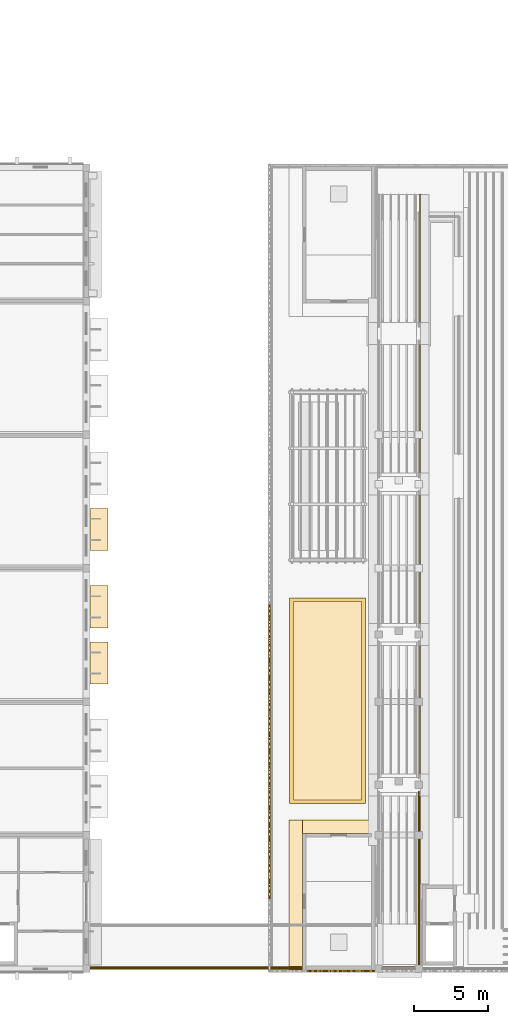
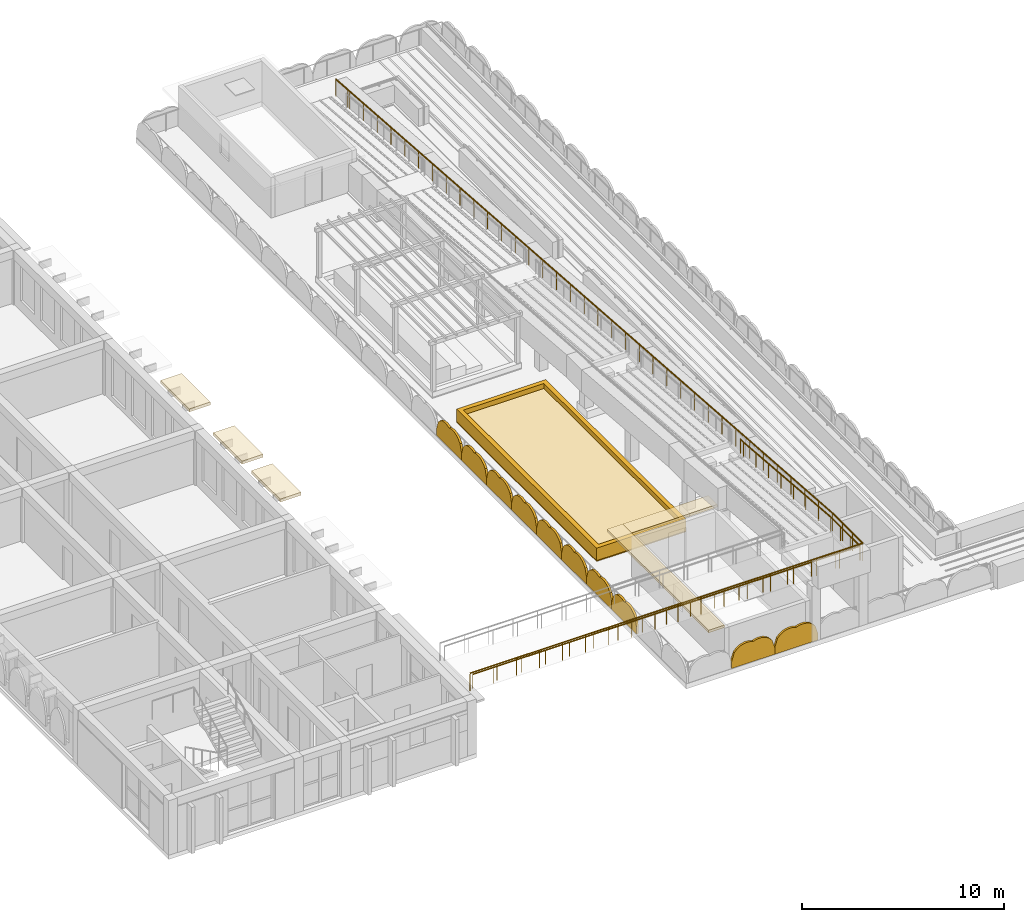
# One storey, part 58 of 65: 10 shading devices, 8 coverings, 2 railings.
"""IFC4 building model written with IfcOpenShell, lengths in metres."""

from ifc_helpers import new_model, si_unit, direction, frame, origin, origin_2d, place, context, subcontext, project, spatial, polyline, rectangle, circle, outline, extrude, material, layer, layer_set, type_object, element, save


model = new_model("IFC4")

# Units and contexts
model_context = context("Model", 3, precision=1e-05, world=origin(), true_north=direction((0.0, 1.0)))
body_context = subcontext(model_context, "Body", "Model", "MODEL_VIEW")
ifc_project = project(units=[si_unit("LENGTHUNIT", "METRE"), si_unit("AREAUNIT", "SQUARE_METRE"), si_unit("VOLUMEUNIT", "CUBIC_METRE"), si_unit("PLANEANGLEUNIT", "RADIAN"), si_unit("MASSUNIT", "GRAM", prefix="KILO")], contexts=[model_context])

# Site, building, storey
site_placement = place(None, origin())
site = spatial("IfcSite", under=ifc_project, at=site_placement, CompositionType="ELEMENT")
building_placement = place(site_placement, origin())
building = spatial("IfcBuilding", under=site, at=building_placement, Name="Elbe Cascade School", CompositionType="ELEMENT")
storey_placement = place(building_placement, frame((0.0, 0.0, 11.699951171875)))
storey = spatial("IfcBuildingStorey", under=building, at=storey_placement, Name="L03", CompositionType="ELEMENT", Elevation=11.699951171875)

# Shading devices
ifc_material_1 = material(Name="Precast concrete C40/50", Category="concrete")
ifc_layer_1 = layer(ifc_material_1, 0.1201171875)
ifc_layer_set_1 = layer_set([ifc_layer_1], Name="Precast concrete C40/50")
shading_device_type = type_object("IfcShadingDeviceType", Name="Bars envelope Attic jali screen, pointed arch top, pierced precast concrete, 1200 high", PredefinedType="USERDEFINED", material=ifc_layer_set_1)
shading_device_1_placement = place(storey_placement, frame((127.97998046875, 10.70458984375, 0.400146484375), z_axis=(-1.0, 0.0, 0.0), x_axis=(0.0, 0.296914729778, 0.954903996871)))
element("IfcShadingDevice", 1, at=shading_device_1_placement, inside=storey, type_object=shading_device_type, Name="Attic jali screen SD1 C.L03.w3", ObjectType="JALI", PredefinedType="USERDEFINED", context=body_context, shape_type="SweptSolid", body=[
    extrude(outline(polyline([(0.0, 0.0), (0.5213118135497831, 2.7755575615628914e-17), (0.7306945382777837, 0.09699021202207464), (0.8771319311807609, 0.21355243992304318), (0.9847089596433677, 0.3424534529484574), (1.0619064875388193, 0.48054489831620933), (1.1125270975525943, 0.6269000837217165), (1.1363376588260814, 0.7815914981126785), (1.1314731244903915, 0.9451990530706923), (1.2282536445091836, 1.0772014268316772), (1.2963590689187985, 1.218119941159714), (1.337726933535825, 1.3676078153318163), (1.3524453913234755, 1.5251262986830632), (1.3368568374916705, 1.692068345235259), (1.2824079192194948, 1.8713491769119002), (1.1649411801745964, 2.069968893608824), (0.7355453523079154, 2.365578822327823), (0.3534438750441624, 2.4843882076074792), (-0.382101477263753, 0.11880938527965638), (0.0, 0.0)])), origin(), (0.0, 0.0, -1.0), 0.1201171875),
])
shading_device_2_placement = place(storey_placement, frame((127.97998046875, 13.181884765625, 0.400146484375), z_axis=(-1.0, 0.0, 0.0), x_axis=(0.0, 0.296914729778, 0.954903996871)))
element("IfcShadingDevice", 2, at=shading_device_2_placement, inside=storey, type_object=shading_device_type, Name="Attic jali screen SD1 C.L03.w4", ObjectType="JALI", PredefinedType="USERDEFINED", context=body_context, shape_type="SweptSolid", body=[
    extrude(outline(polyline([(0.0, 0.0), (0.5213118135497831, 2.7755575615628914e-17), (0.7306945382777837, 0.09699021202207464), (0.8771319311807609, 0.21355243992304318), (0.9846364706956681, 0.3422203220898462), (1.0619064875388193, 0.48054489831620933), (1.1125270975525943, 0.6269000837217165), (1.1363376588260814, 0.7815914981126785), (1.1314731244903915, 0.9451990530706923), (1.2282536445091836, 1.0772014268316772), (1.2963590689187985, 1.218119941159714), (1.337726933535825, 1.3676078153318163), (1.3524453913234755, 1.5251262986830632), (1.3368568374916705, 1.692068345235259), (1.2823354302717953, 1.871116046053289), (1.1649411801745964, 2.069968893608824), (0.7355453523079154, 2.365578822327823), (0.3534438750441624, 2.4843882076074792), (-0.382101477263753, 0.11880938527965638), (0.0, 0.0)])), origin(), (0.0, 0.0, -1.0), 0.1201171875),
])
shading_device_3_placement = place(storey_placement, frame((127.97998046875, 15.6591796875, 0.400146484375), z_axis=(-1.0, 0.0, 0.0), x_axis=(0.0, 0.296914729778, 0.954903996871)))
element("IfcShadingDevice", 3, at=shading_device_3_placement, inside=storey, type_object=shading_device_type, Name="Attic jali screen SD1 C.L03.w5", ObjectType="JALI", PredefinedType="USERDEFINED", context=body_context, shape_type="SweptSolid", body=[
    extrude(outline(polyline([(0.0, 0.0), (0.5213118135497831, 2.7755575615628914e-17), (0.7306945382777837, 0.09699021202207464), (0.8771319311807609, 0.21355243992304318), (0.9846364706956681, 0.3422203220898462), (1.0618339985911196, 0.4803117674575981), (1.1125270975525943, 0.6269000837217165), (1.1363376588260814, 0.7815914981126785), (1.1314731244903915, 0.9451990530706923), (1.2282536445091836, 1.0772014268316772), (1.296431557866498, 1.218353072018325), (1.337726933535825, 1.3676078153318163), (1.3524453913234755, 1.5251262986830632), (1.3368568374916705, 1.692068345235259), (1.2823354302717953, 1.871116046053289), (1.1648686912268968, 2.069735762750213), (0.7355453523079154, 2.365578822327823), (0.3534438750441624, 2.4843882076074792), (-0.382101477263753, 0.11880938527965638), (0.0, 0.0)])), origin(), (0.0, 0.0, -1.0), 0.1201171875),
])
shading_device_4_placement = place(storey_placement, frame((127.97998046875, 18.136474609375, 0.400146484375), z_axis=(-1.0, 0.0, 0.0), x_axis=(0.0, 0.296914729778, 0.954903996871)))
element("IfcShadingDevice", 4, at=shading_device_4_placement, inside=storey, type_object=shading_device_type, Name="Attic jali screen SD1 C.L03.w6", ObjectType="JALI", PredefinedType="USERDEFINED", context=body_context, shape_type="SweptSolid", body=[
    extrude(outline(polyline([(0.0, 0.0), (0.5213118135497831, 2.7755575615628914e-17), (0.7306945382777837, 0.09699021202207464), (0.8771319311807609, 0.21355243992304318), (0.9846364706956681, 0.3422203220898462), (1.0618339985911196, 0.4803117674575981), (1.1124546086048945, 0.6266669528631053), (1.1363376588260814, 0.7815914981126785), (1.1314731244903915, 0.9451990530706923), (1.2282536445091836, 1.0772014268316772), (1.296431557866498, 1.218353072018325), (1.337726933535825, 1.3676078153318163), (1.3524453913234755, 1.5251262986830632), (1.3368568374916705, 1.692068345235259), (1.2823354302717953, 1.871116046053289), (1.1648686912268968, 2.069735762750213), (0.7354728633602158, 2.3653456914692117), (0.3533713860964628, 2.484155076748868), (-0.382101477263753, 0.11880938527965638), (0.0, 0.0)])), origin(), (0.0, 0.0, -1.0), 0.1201171875),
])
shading_device_5_placement = place(storey_placement, frame((127.97998046875, 20.613525390625, 0.400146484375), z_axis=(-1.0, 0.0, 0.0), x_axis=(0.0, 0.297341674145, 0.954771139497)))
element("IfcShadingDevice", 5, at=shading_device_5_placement, inside=storey, type_object=shading_device_type, Name="Attic jali screen SD1 C.L03.w7", ObjectType="JALI", PredefinedType="USERDEFINED", context=body_context, shape_type="SweptSolid", body=[
    extrude(outline(polyline([(0.0, 0.0), (0.5213843546183408, 0.0), (0.7308104264433496, 0.09689657931297072), (0.877299924131576, 0.21339331781027546), (0.9848619852240885, 0.34201311772900156), (1.0621212513618536, 0.4800700313290738), (1.112807297308533, 0.6264025676958647), (1.1367596178235617, 0.7813164184342674), (1.1319682391607806, 0.9449261321561379), (1.2288077728077673, 1.0768852184544173), (1.2969762004591083, 1.2177732661588931), (1.338410902678799, 1.3672426282349808), (1.3531997915252392, 1.5247545146550585), (1.3376858854169322, 1.6917035147564823), (1.2832445427129113, 1.8707755762793272), (1.1658666258721082, 2.0694477969865064), (0.7366030194201371, 2.365249695429385), (0.35455470456759325, 2.484229920996509), (-0.3820483148525438, 0.11898022556712376), (0.0, 0.0)])), origin(), (0.0, 0.0, -1.0), 0.1201171875),
])
shading_device_6_placement = place(storey_placement, frame((127.97998046875, 23.0908203125, 0.400146484375), z_axis=(-1.0, 0.0, 0.0), x_axis=(0.0, 0.296914729778, 0.954903996871)))
element("IfcShadingDevice", 6, at=shading_device_6_placement, inside=storey, type_object=shading_device_type, Name="Attic jali screen SD1 C.L03.w8", ObjectType="JALI", PredefinedType="USERDEFINED", context=body_context, shape_type="SweptSolid", body=[
    extrude(outline(polyline([(0.0, 0.0), (0.5213118135497831, 2.7755575615628914e-17), (0.7307670272254834, 0.09722334288068585), (0.8772044201284606, 0.2137855707816544), (0.9847089596433677, 0.3424534529484574), (1.0619064875388193, 0.48054489831620933), (1.1125995865002938, 0.6271332145803277), (1.1364101477737811, 0.7818246289712897), (1.131545613438091, 0.9454321839293035), (1.2283261334568831, 1.0774345576902884), (1.296431557866498, 1.218353072018325), (1.337726933535825, 1.3676078153318163), (1.3525178802711753, 1.5253594295416744), (1.3369293264393702, 1.6923014760938702), (1.2824079192194948, 1.8713491769119002), (1.1649411801745964, 2.069968893608824), (0.7355453523079154, 2.365578822327823), (0.3534438750441624, 2.4843882076074792), (-0.382101477263753, 0.11880938527965638), (0.0, 0.0)])), origin(), (0.0, 0.0, -1.0), 0.1201171875),
])
shading_device_7_placement = place(storey_placement, frame((127.97998046875, 25.568115234375, 0.400146484375), z_axis=(-1.0, 0.0, 0.0), x_axis=(0.0, 0.296914729778, 0.954903996871)))
element("IfcShadingDevice", 7, at=shading_device_7_placement, inside=storey, type_object=shading_device_type, Name="Attic jali screen SD1 C.L03.w9", ObjectType="JALI", PredefinedType="USERDEFINED", context=body_context, shape_type="SweptSolid", body=[
    extrude(outline(polyline([(0.0, 0.0), (0.5213118135497831, 2.7755575615628914e-17), (0.7306945382777837, 0.09699021202207464), (0.8772044201284606, 0.2137855707816544), (0.9847089596433677, 0.3424534529484574), (1.0619064875388193, 0.48054489831620933), (1.1125995865002938, 0.6271332145803277), (1.1364101477737811, 0.7818246289712897), (1.131545613438091, 0.9454321839293035), (1.2283261334568831, 1.0774345576902884), (1.296431557866498, 1.218353072018325), (1.337726933535825, 1.3676078153318163), (1.3524453913234755, 1.5251262986830632), (1.3369293264393702, 1.6923014760938702), (1.2824079192194948, 1.8713491769119002), (1.1649411801745964, 2.069968893608824), (0.7355453523079154, 2.365578822327823), (0.3534438750441624, 2.4843882076074792), (-0.382101477263753, 0.11880938527965638), (0.0, 0.0)])), origin(), (0.0, 0.0, -1.0), 0.1201171875),
])
shading_device_8_placement = place(storey_placement, frame((127.97998046875, 28.04541015625, 0.400146484375), z_axis=(-1.0, 0.0, 0.0), x_axis=(0.0, 0.296914729778, 0.954903996871)))
element("IfcShadingDevice", 8, at=shading_device_8_placement, inside=storey, type_object=shading_device_type, Name="Attic jali screen SD1 C.L03.w10", ObjectType="JALI", PredefinedType="USERDEFINED", context=body_context, shape_type="SweptSolid", body=[
    extrude(outline(polyline([(0.0, 0.0), (0.5213118135497831, 2.7755575615628914e-17), (0.7306945382777837, 0.09699021202207464), (0.8772044201284606, 0.2137855707816544), (0.9847089596433677, 0.3424534529484574), (1.0619064875388193, 0.48054489831620933), (1.1125270975525943, 0.6269000837217165), (1.1364101477737811, 0.7818246289712897), (1.131545613438091, 0.9454321839293035), (1.2283261334568831, 1.0774345576902884), (1.296431557866498, 1.218353072018325), (1.337726933535825, 1.3676078153318163), (1.3524453913234755, 1.5251262986830632), (1.3368568374916705, 1.692068345235259), (1.2824079192194948, 1.8713491769119002), (1.1649411801745964, 2.069968893608824), (0.7355453523079154, 2.365578822327823), (0.3534438750441624, 2.4843882076074792), (-0.382101477263753, 0.11880938527965638), (0.0, 0.0)])), origin(), (0.0, 0.0, -1.0), 0.1201171875),
])
shading_device_9_placement = place(storey_placement, frame((130.5712890625, 5.780029296875, 0.0), z_axis=(0.0, -1.0, 0.0), x_axis=(1.0, 0.0, 0.0)))
element("IfcShadingDevice", 9, at=shading_device_9_placement, inside=storey, type_object=shading_device_type, Name="Attic jali screen SD1 C.L03.s2", ObjectType="JALI", PredefinedType="USERDEFINED", context=body_context, shape_type="SweptSolid", body=[
    extrude(outline(polyline([(0.0, 0.0), (2.4716796875, 0.0), (2.4716796875, 0.400146484375), (2.317138671875, 0.89697265625), (2.16259765625, 1.068115234375), (2.00830078125, 1.17333984375), (1.853759765625, 1.23779296875), (1.69921875, 1.270751953125), (1.544921875, 1.275390625), (1.390380859375, 1.252685546875), (1.23583984375, 1.199951171875), (1.081298828125, 1.252685546875), (0.927001953125, 1.275390625), (0.7724609375, 1.270751953125), (0.617919921875, 1.23779296875), (0.463623046875, 1.17333984375), (0.30908203125, 1.068115234375), (0.154541015625, 0.89697265625), (0.0, 0.400146484375), (0.0, 0.0)])), origin(), (0.0, 0.0, -1.0), 0.1201171875),
])
shading_device_10_placement = place(storey_placement, frame((133.04296875, 5.780029296875, 0.0), z_axis=(0.0, -1.0, 0.0), x_axis=(1.0, 0.0, 0.0)))
element("IfcShadingDevice", 10, at=shading_device_10_placement, inside=storey, type_object=shading_device_type, Name="Attic jali screen SD1 C.L03.s3", ObjectType="JALI", PredefinedType="USERDEFINED", context=body_context, shape_type="SweptSolid", body=[
    extrude(outline(polyline([(0.0, 0.0), (2.471435546875, 0.0), (2.471435546875, 0.400146484375), (2.31689453125, 0.89697265625), (2.162353515625, 1.068115234375), (2.0078125, 1.17333984375), (1.853515625, 1.23779296875), (1.698974609375, 1.270751953125), (1.54443359375, 1.275390625), (1.39013671875, 1.252685546875), (1.235595703125, 1.199951171875), (1.0810546875, 1.252685546875), (0.926513671875, 1.275390625), (0.772216796875, 1.270751953125), (0.61767578125, 1.23779296875), (0.463134765625, 1.17333984375), (0.308837890625, 1.068115234375), (0.154296875, 0.89697265625), (0.0, 0.400146484375), (0.0, 0.0)])), origin(), (0.0, 0.0, -1.0), 0.1201171875),
])

# Coverings
ifc_material_2 = material(Name="Bituminous waterproofing membrane", Category="membrane")
ifc_layer_2 = layer(ifc_material_2, 0.06005859375)
ifc_layer_set_2 = layer_set([ifc_layer_2], Name="Bituminous waterproofing membrane")
covering_type_1 = type_object("IfcCoveringType", Name="Bars envelope Roof covering, bituminous waterproofing membrane", PredefinedType="ROOFING", material=ifc_layer_set_2)
covering_1_placement = place(storey_placement, origin())
element("IfcCovering", 11, at=covering_1_placement, inside=storey, type_object=covering_type_1, Name="Roof covering CV49 C.L03.1", PredefinedType="ROOFING", context=body_context, shape_type="SweptSolid", body=[
    extrude(outline(polyline([(129.39990234375, 17.125), (129.39990234375, 31.0), (134.5, 31.0), (134.5, 17.125), (129.39990234375, 17.125)])), origin(), (0.0, 0.0, 1.0), 0.06005859375),
])
ifc_material_3 = material(Name="Sandstone - red", Category="masonry")
covering_type_2 = type_object("IfcCoveringType", Name="Bars envelope Sandstone chhajja slab, 1200 deep", PredefinedType="CLADDING", material=ifc_material_3)
for number, where, z_axis, x_axis, name in (
    (12, (116.550048828125, 26.607421875, 3.419921875), (0.0, 0.0, 1.0), (0.0, 1.0, 0.0), "Chhajja slab CV61 B.L03.e2.1"),
    (13, (116.550048828125, 30.392578125, 3.419921875), (0.0, 0.0, 1.0), (0.0, 1.0, 0.0), "Chhajja slab CV61 B.L03.e2.2"),
    (14, (116.550048828125, 35.607421875, 3.419921875), (0.0, 0.0, 1.0), (0.0, 1.0, 0.0), "Chhajja slab CV61 B.L03.e3.1"),
):
    element("IfcCovering", number, at=place(storey_placement, frame(where, z_axis=z_axis, x_axis=x_axis)), inside=storey, type_object=covering_type_2, Name=name, PredefinedType="CLADDING", context=body_context, shape_type="SweptSolid", body=[
        extrude(rectangle(XDim=2.85498046875, YDim=1.199951171875, at=origin_2d()), origin(), (0.0, 0.0, 1.0), 0.179931640625),
    ])
ifc_material_4 = material(Name="Concrete C30/37 precast kerb", Category="concrete")
ifc_layer_3 = layer(ifc_material_4, 0.25)
ifc_layer_set_3 = layer_set([ifc_layer_3], Name="Concrete C30/37 precast kerb")
covering_type_3 = type_object("IfcCoveringType", Name="Planting bed kerb 250x750", PredefinedType="CLADDING", material=ifc_layer_set_3)
covering_2_placement = place(storey_placement, frame((0.0, 0.0, 0.06005859375)))
element("IfcCovering", 15, at=covering_2_placement, inside=storey, type_object=covering_type_3, Name="Planting bed kerb C W1", PredefinedType="CLADDING", context=body_context, shape_type="SweptSolid", body=[
    extrude(outline(polyline([(134.5, 17.125), (132.89990234375, 17.125), (132.5, 17.125), (129.39990234375, 17.125), (129.39990234375, 31.0), (134.5, 31.0), (134.5, 29.429931640625), (134.5, 27.6298828125), (134.5, 24.89990234375), (134.5, 23.10009765625), (134.5, 19.2900390625), (134.5, 17.489990234375), (134.5, 17.125)]), holes=[polyline([(134.25, 17.375), (129.64990234375, 17.375), (129.64990234375, 30.75), (134.25, 30.75), (134.25, 17.375)])]), origin(), (0.0, 0.0, 1.0), 0.75),
])
ifc_material_5 = material(Name="Precast concrete C30/37", Category="concrete")
ifc_layer_4 = layer(ifc_material_5, 0.14990234375)
ifc_layer_set_4 = layer_set([ifc_layer_4], Name="Precast concrete C30/37")
covering_type_4 = type_object("IfcCoveringType", Name="Roof head eave, precast concrete, 900 x 150", PredefinedType="USERDEFINED", material=ifc_layer_set_4)
covering_3_placement = place(storey_placement, frame((0.0, 0.0, 2.5)))
element("IfcCovering", 16, at=covering_3_placement, inside=storey, type_object=covering_type_4, Name="Stair head eave C.L03.south.w", ObjectType="EAVE", PredefinedType="USERDEFINED", context=body_context, shape_type="SweptSolid", body=[
    extrude(outline(polyline([(129.35009765625, 5.929931640625), (130.25, 5.929931640625), (130.25, 16.02490234375), (129.35009765625, 16.02490234375), (129.35009765625, 5.929931640625)])), origin(), (0.0, 0.0, 1.0), 0.150146484375),
])
covering_4_placement = place(storey_placement, frame((0.0, 0.0, 2.5)))
element("IfcCovering", 17, at=covering_4_placement, inside=storey, type_object=covering_type_4, Name="Stair head eave C.L03.south.i", ObjectType="EAVE", PredefinedType="USERDEFINED", context=body_context, shape_type="SweptSolid", body=[
    extrude(outline(polyline([(130.25, 15.125), (135.14990234375, 15.125), (135.14990234375, 16.02490234375), (130.25, 16.02490234375), (130.25, 15.125)])), origin(), (0.0, 0.0, 1.0), 0.150146484375),
])
ifc_material_6 = material(Name="Planting - soil and shrubs", Category="soil")
ifc_layer_5 = layer(ifc_material_6, 0.449951171875)
ifc_layer_set_5 = layer_set([ifc_layer_5], Name="Planting - soil and shrubs")
covering_type_5 = type_object("IfcCoveringType", Name="Roof planting bed 450", PredefinedType="USERDEFINED", material=ifc_layer_set_5)
covering_5_placement = place(storey_placement, frame((0.0, 0.0, 0.06005859375)))
element("IfcCovering", 18, at=covering_5_placement, inside=storey, type_object=covering_type_5, Name="Planting bed C W1", ObjectType="PLANTING BED", PredefinedType="USERDEFINED", context=body_context, shape_type="SweptSolid", body=[
    extrude(outline(polyline([(134.25, 17.375), (129.64990234375, 17.375), (129.64990234375, 30.75), (134.25, 30.75), (134.25, 17.375)])), origin(), (0.0, 0.0, 1.0), 0.449951171875),
])

# Railings
ifc_material_7 = material(Name="Steel S355J2H", Category="steel")
railing_type_1 = type_object("IfcRailingType", Name="Track guard 1100", PredefinedType="GUARDRAIL", material=ifc_material_7)
railing_1_placement = place(storey_placement, frame((115.741943359375, 6.0, 3.719970703125)))
element("IfcRailing", 19, at=railing_1_placement, inside=storey, type_object=railing_type_1, Name="Track guard RL4 B-C south and east", PredefinedType="GUARDRAIL", context=body_context, shape_type="SweptSolid", body=[
    extrude(circle(Radius=0.0400390625, at=origin_2d()), frame((0.0, 0.0, 1.06005859375), z_axis=(1.0, 0.0, 0.0), x_axis=(0.0, 1.0, 0.0)), (0.0, 0.0, 1.0), 22.4580078125),
    extrude(circle(Radius=0.0400390625, at=origin_2d()), frame((22.4580078125, 0.0, 1.06005859375), z_axis=(0.0, 1.0, 0.0), x_axis=(-1.0, 0.0, 0.0)), (0.0, 0.0, 1.0), 3.0),
    extrude(circle(Radius=0.0400390625, at=origin_2d()), frame((22.4580078125, 3.0, 1.06005859375), z_axis=(0.0, 0.997333934432, -0.072972756773), x_axis=(-1.0, 0.0, 0.0)), (0.0, 0.0, 1.0), 49.33154296875),
    extrude(circle(Radius=0.0400390625, at=origin_2d()), frame((22.4580078125, 52.199951171875, -2.539794921875), z_axis=(0.0, -0.99655553964, 0.082928019474), x_axis=(1.0, 0.0, 0.0)), (0.0, 0.0, 1.0), 1.2041015625),
    extrude(circle(Radius=0.02099609375, at=origin_2d()), origin(), (0.0, 0.0, 1.0), 1.02001953125),
    extrude(circle(Radius=0.02099609375, at=origin_2d()), frame((1.321044921875, 0.0, 0.0)), (0.0, 0.0, 1.0), 1.02001953125),
    extrude(circle(Radius=0.02099609375, at=origin_2d()), frame((2.64208984375, 0.0, 0.0)), (0.0, 0.0, 1.0), 1.02001953125),
    extrude(circle(Radius=0.02099609375, at=origin_2d()), frame((3.963134765625, 0.0, 0.0)), (0.0, 0.0, 1.0), 1.02001953125),
    extrude(circle(Radius=0.02099609375, at=origin_2d()), frame((5.2841796875, 0.0, 0.0)), (0.0, 0.0, 1.0), 1.02001953125),
    extrude(circle(Radius=0.02099609375, at=origin_2d()), frame((6.605224609375, 0.0, 0.0)), (0.0, 0.0, 1.0), 1.02001953125),
    extrude(circle(Radius=0.02099609375, at=origin_2d()), frame((7.92626953125, 0.0, 0.0)), (0.0, 0.0, 1.0), 1.02001953125),
    extrude(circle(Radius=0.02099609375, at=origin_2d()), frame((9.247314453125, 0.0, 0.0)), (0.0, 0.0, 1.0), 1.02001953125),
    extrude(circle(Radius=0.02099609375, at=origin_2d()), frame((10.568359375, 0.0, 0.0)), (0.0, 0.0, 1.0), 1.02001953125),
    extrude(circle(Radius=0.02099609375, at=origin_2d()), frame((11.8896484375, 0.0, 0.0)), (0.0, 0.0, 1.0), 1.02001953125),
    extrude(circle(Radius=0.02099609375, at=origin_2d()), frame((13.210693359375, 0.0, 0.0)), (0.0, 0.0, 1.0), 1.02001953125),
    extrude(circle(Radius=0.02099609375, at=origin_2d()), frame((14.53173828125, 0.0, 0.0)), (0.0, 0.0, 1.0), 1.02001953125),
    extrude(circle(Radius=0.02099609375, at=origin_2d()), frame((15.852783203125, 0.0, 0.0)), (0.0, 0.0, 1.0), 1.02001953125),
    extrude(circle(Radius=0.02099609375, at=origin_2d()), frame((17.173828125, 0.0, 0.0)), (0.0, 0.0, 1.0), 1.02001953125),
    extrude(circle(Radius=0.02099609375, at=origin_2d()), frame((18.494873046875, 0.0, 0.0)), (0.0, 0.0, 1.0), 1.02001953125),
    extrude(circle(Radius=0.02099609375, at=origin_2d()), frame((19.81591796875, 0.0, 0.0)), (0.0, 0.0, 1.0), 1.02001953125),
    extrude(circle(Radius=0.02099609375, at=origin_2d()), frame((21.136962890625, 0.0, 0.0)), (0.0, 0.0, 1.0), 1.02001953125),
    extrude(circle(Radius=0.02099609375, at=origin_2d()), frame((22.4580078125, 0.0, 0.0)), (0.0, 0.0, 1.0), 1.02001953125),
    extrude(circle(Radius=0.02099609375, at=origin_2d()), frame((22.4580078125, 1.0, 0.0)), (0.0, 0.0, 1.0), 1.02001953125),
    extrude(circle(Radius=0.02099609375, at=origin_2d()), frame((22.4580078125, 2.0, 0.0)), (0.0, 0.0, 1.0), 1.02001953125),
    extrude(circle(Radius=0.02099609375, at=origin_2d()), frame((22.4580078125, 3.0, 0.0)), (0.0, 0.0, 1.0), 1.02001953125),
    extrude(circle(Radius=0.02099609375, at=origin_2d()), frame((22.4580078125, 4.36669921875, -0.10009765625)), (0.0, 0.0, 1.0), 1.02001953125),
    extrude(circle(Radius=0.02099609375, at=origin_2d()), frame((22.4580078125, 5.7333984375, -0.199951171875)), (0.0, 0.0, 1.0), 1.02001953125),
    extrude(circle(Radius=0.02099609375, at=origin_2d()), frame((22.4580078125, 7.10009765625, -0.300048828125)), (0.0, 0.0, 1.0), 1.02001953125),
    extrude(circle(Radius=0.02099609375, at=origin_2d()), frame((22.4580078125, 8.466552734375, -0.39990234375)), (0.0, 0.0, 1.0), 1.02001953125),
    extrude(circle(Radius=0.02099609375, at=origin_2d()), frame((22.4580078125, 9.833251953125, -0.5)), (0.0, 0.0, 1.0), 1.02001953125),
    extrude(circle(Radius=0.02099609375, at=origin_2d()), frame((22.4580078125, 11.199951171875, -0.60009765625)), (0.0, 0.0, 1.0), 1.02001953125),
    extrude(circle(Radius=0.02099609375, at=origin_2d()), frame((22.4580078125, 12.566650390625, -0.699951171875)), (0.0, 0.0, 1.0), 1.02001953125),
    extrude(circle(Radius=0.02099609375, at=origin_2d()), frame((22.4580078125, 13.933349609375, -0.800048828125)), (0.0, 0.0, 1.0), 1.02001953125),
    extrude(circle(Radius=0.02099609375, at=origin_2d()), frame((22.4580078125, 15.300048828125, -0.89990234375)), (0.0, 0.0, 1.0), 1.02001953125),
    extrude(circle(Radius=0.02099609375, at=origin_2d()), frame((22.4580078125, 16.666748046875, -1.0)), (0.0, 0.0, 1.0), 1.02001953125),
    extrude(circle(Radius=0.02099609375, at=origin_2d()), frame((22.4580078125, 18.033203125, -1.099853515625)), (0.0, 0.0, 1.0), 1.02001953125),
    extrude(circle(Radius=0.02099609375, at=origin_2d()), frame((22.4580078125, 19.39990234375, -1.199951171875)), (0.0, 0.0, 1.0), 1.02001953125),
    extrude(circle(Radius=0.02099609375, at=origin_2d()), frame((22.4580078125, 20.7666015625, -1.300048828125)), (0.0, 0.0, 1.0), 1.02001953125),
    extrude(circle(Radius=0.02099609375, at=origin_2d()), frame((22.4580078125, 22.13330078125, -1.39990234375)), (0.0, 0.0, 1.0), 1.02001953125),
    extrude(circle(Radius=0.02099609375, at=origin_2d()), frame((22.4580078125, 23.5, -1.5)), (0.0, 0.0, 1.0), 1.02001953125),
    extrude(circle(Radius=0.02099609375, at=origin_2d()), frame((22.4580078125, 24.86669921875, -1.599853515625)), (0.0, 0.0, 1.0), 1.02001953125),
    extrude(circle(Radius=0.02099609375, at=origin_2d()), frame((22.4580078125, 26.2333984375, -1.699951171875)), (0.0, 0.0, 1.0), 1.02001953125),
    extrude(circle(Radius=0.02099609375, at=origin_2d()), frame((22.4580078125, 27.60009765625, -1.7998046875)), (0.0, 0.0, 1.0), 1.02001953125),
    extrude(circle(Radius=0.02099609375, at=origin_2d()), frame((22.4580078125, 28.966552734375, -1.89990234375)), (0.0, 0.0, 1.0), 1.02001953125),
    extrude(circle(Radius=0.02099609375, at=origin_2d()), frame((22.4580078125, 30.333251953125, -2.0)), (0.0, 0.0, 1.0), 1.02001953125),
    extrude(circle(Radius=0.02099609375, at=origin_2d()), frame((22.4580078125, 31.699951171875, -2.099853515625)), (0.0, 0.0, 1.0), 1.02001953125),
    extrude(circle(Radius=0.02099609375, at=origin_2d()), frame((22.4580078125, 33.066650390625, -2.199951171875)), (0.0, 0.0, 1.0), 1.02001953125),
    extrude(circle(Radius=0.02099609375, at=origin_2d()), frame((22.4580078125, 34.433349609375, -2.2998046875)), (0.0, 0.0, 1.0), 1.02001953125),
    extrude(circle(Radius=0.02099609375, at=origin_2d()), frame((22.4580078125, 35.800048828125, -2.39990234375)), (0.0, 0.0, 1.0), 1.02001953125),
    extrude(circle(Radius=0.02099609375, at=origin_2d()), frame((22.4580078125, 37.166748046875, -2.5)), (0.0, 0.0, 1.0), 1.02001953125),
    extrude(circle(Radius=0.02099609375, at=origin_2d()), frame((22.4580078125, 38.533203125, -2.599853515625)), (0.0, 0.0, 1.0), 1.02001953125),
    extrude(circle(Radius=0.02099609375, at=origin_2d()), frame((22.4580078125, 39.89990234375, -2.699951171875)), (0.0, 0.0, 1.0), 1.02001953125),
    extrude(circle(Radius=0.02099609375, at=origin_2d()), frame((22.4580078125, 41.2666015625, -2.7998046875)), (0.0, 0.0, 1.0), 1.02001953125),
    extrude(circle(Radius=0.02099609375, at=origin_2d()), frame((22.4580078125, 42.63330078125, -2.89990234375)), (0.0, 0.0, 1.0), 1.02001953125),
    extrude(circle(Radius=0.02099609375, at=origin_2d()), frame((22.4580078125, 44.0, -3.0)), (0.0, 0.0, 1.0), 1.02001953125),
    extrude(circle(Radius=0.02099609375, at=origin_2d()), frame((22.4580078125, 45.36669921875, -3.099853515625)), (0.0, 0.0, 1.0), 1.02001953125),
    extrude(circle(Radius=0.02099609375, at=origin_2d()), frame((22.4580078125, 46.7333984375, -3.199951171875)), (0.0, 0.0, 1.0), 1.02001953125),
    extrude(circle(Radius=0.02099609375, at=origin_2d()), frame((22.4580078125, 48.099853515625, -3.2998046875)), (0.0, 0.0, 1.0), 1.02001953125),
    extrude(circle(Radius=0.02099609375, at=origin_2d()), frame((22.4580078125, 49.466552734375, -3.39990234375)), (0.0, 0.0, 1.0), 1.02001953125),
    extrude(circle(Radius=0.02099609375, at=origin_2d()), frame((22.4580078125, 50.833251953125, -3.499755859375)), (0.0, 0.0, 1.0), 1.02001953125),
    extrude(circle(Radius=0.02099609375, at=origin_2d()), frame((22.4580078125, 52.199951171875, -3.599853515625)), (0.0, 0.0, 1.0), 1.02001953125),
    extrude(circle(Radius=0.02099609375, at=origin_2d()), frame((22.4580078125, 51.0, -3.5)), (0.0, 0.0, 1.0), 1.02001953125),
])
ifc_material_8 = material(Name="Steel S355J2H", Category="steel")
railing_type_2 = type_object("IfcRailingType", Name="Track handrail 900", PredefinedType="HANDRAIL", material=ifc_material_8)
railing_2_placement = place(storey_placement, frame((115.949951171875, 6.10009765625, 3.719970703125)))
element("IfcRailing", 20, at=railing_2_placement, inside=storey, type_object=railing_type_2, Name="Track handrail RL5 B-C south and east", PredefinedType="HANDRAIL", context=body_context, shape_type="SweptSolid", body=[
    extrude(circle(Radius=0.0400390625, at=origin_2d()), frame((0.0, 0.0, 0.85986328125), z_axis=(1.0, 0.0, 0.0), x_axis=(0.0, 1.0, 0.0)), (0.0, 0.0, 1.0), 22.150146484375),
    extrude(circle(Radius=0.0400390625, at=origin_2d()), frame((22.150146484375, 0.0, 0.85986328125), z_axis=(0.0, 1.0, 0.0), x_axis=(-1.0, 0.0, 0.0)), (0.0, 0.0, 1.0), 2.89990234375),
    extrude(circle(Radius=0.0400390625, at=origin_2d()), frame((22.150146484375, 2.89990234375, 0.85986328125), z_axis=(0.0, 0.996545952447, -0.08304314939), x_axis=(-1.0, 0.0, 0.0)), (0.0, 0.0, 1.0), 8.669921875),
    extrude(circle(Radius=0.0400390625, at=origin_2d()), frame((22.150146484375, 11.539794921875, 0.139892578125), z_axis=(0.0, 1.0, 0.0), x_axis=(-1.0, 0.0, 0.0)), (0.0, 0.0, 1.0), 0.300048828125),
    extrude(circle(Radius=0.02099609375, at=origin_2d()), origin(), (0.0, 0.0, 1.0), 0.81982421875),
    extrude(circle(Radius=0.02099609375, at=origin_2d()), frame((1.38427734375, 0.0, 0.0)), (0.0, 0.0, 1.0), 0.81982421875),
    extrude(circle(Radius=0.02099609375, at=origin_2d()), frame((2.768798828125, 0.0, 0.0)), (0.0, 0.0, 1.0), 0.81982421875),
    extrude(circle(Radius=0.02099609375, at=origin_2d()), frame((4.153076171875, 0.0, 0.0)), (0.0, 0.0, 1.0), 0.81982421875),
    extrude(circle(Radius=0.02099609375, at=origin_2d()), frame((5.53759765625, 0.0, 0.0)), (0.0, 0.0, 1.0), 0.81982421875),
    extrude(circle(Radius=0.02099609375, at=origin_2d()), frame((6.921875, 0.0, 0.0)), (0.0, 0.0, 1.0), 0.81982421875),
    extrude(circle(Radius=0.02099609375, at=origin_2d()), frame((8.306396484375, 0.0, 0.0)), (0.0, 0.0, 1.0), 0.81982421875),
    extrude(circle(Radius=0.02099609375, at=origin_2d()), frame((9.690673828125, 0.0, 0.0)), (0.0, 0.0, 1.0), 0.81982421875),
    extrude(circle(Radius=0.02099609375, at=origin_2d()), frame((11.0751953125, 0.0, 0.0)), (0.0, 0.0, 1.0), 0.81982421875),
    extrude(circle(Radius=0.02099609375, at=origin_2d()), frame((12.45947265625, 0.0, 0.0)), (0.0, 0.0, 1.0), 0.81982421875),
    extrude(circle(Radius=0.02099609375, at=origin_2d()), frame((13.84375, 0.0, 0.0)), (0.0, 0.0, 1.0), 0.81982421875),
    extrude(circle(Radius=0.02099609375, at=origin_2d()), frame((15.228271484375, 0.0, 0.0)), (0.0, 0.0, 1.0), 0.81982421875),
    extrude(circle(Radius=0.02099609375, at=origin_2d()), frame((16.612548828125, 0.0, 0.0)), (0.0, 0.0, 1.0), 0.81982421875),
    extrude(circle(Radius=0.02099609375, at=origin_2d()), frame((17.9970703125, 0.0, 0.0)), (0.0, 0.0, 1.0), 0.81982421875),
    extrude(circle(Radius=0.02099609375, at=origin_2d()), frame((19.38134765625, 0.0, 0.0)), (0.0, 0.0, 1.0), 0.81982421875),
    extrude(circle(Radius=0.02099609375, at=origin_2d()), frame((20.765869140625, 0.0, 0.0)), (0.0, 0.0, 1.0), 0.81982421875),
    extrude(circle(Radius=0.02099609375, at=origin_2d()), frame((22.150146484375, 0.0, 0.0)), (0.0, 0.0, 1.0), 0.81982421875),
    extrude(circle(Radius=0.02099609375, at=origin_2d()), frame((22.150146484375, 0.966552734375, 0.0)), (0.0, 0.0, 1.0), 0.81982421875),
    extrude(circle(Radius=0.02099609375, at=origin_2d()), frame((22.150146484375, 1.933349609375, 0.0)), (0.0, 0.0, 1.0), 0.81982421875),
    extrude(circle(Radius=0.02099609375, at=origin_2d()), frame((22.150146484375, 2.89990234375, 0.0)), (0.0, 0.0, 1.0), 0.81982421875),
    extrude(circle(Radius=0.02099609375, at=origin_2d()), frame((22.150146484375, 4.13427734375, -0.102783203125)), (0.0, 0.0, 1.0), 0.81982421875),
    extrude(circle(Radius=0.02099609375, at=origin_2d()), frame((22.150146484375, 5.368408203125, -0.205810546875)), (0.0, 0.0, 1.0), 0.81982421875),
    extrude(circle(Radius=0.02099609375, at=origin_2d()), frame((22.150146484375, 6.602783203125, -0.30859375)), (0.0, 0.0, 1.0), 0.81982421875),
    extrude(circle(Radius=0.02099609375, at=origin_2d()), frame((22.150146484375, 7.8369140625, -0.411376953125)), (0.0, 0.0, 1.0), 0.81982421875),
    extrude(circle(Radius=0.02099609375, at=origin_2d()), frame((22.150146484375, 9.0712890625, -0.51416015625)), (0.0, 0.0, 1.0), 0.81982421875),
    extrude(circle(Radius=0.02099609375, at=origin_2d()), frame((22.150146484375, 10.305419921875, -0.6171875)), (0.0, 0.0, 1.0), 0.81982421875),
    extrude(circle(Radius=0.02099609375, at=origin_2d()), frame((22.150146484375, 11.539794921875, -0.719970703125)), (0.0, 0.0, 1.0), 0.81982421875),
    extrude(circle(Radius=0.02099609375, at=origin_2d()), frame((22.150146484375, 11.83984375, -0.719970703125)), (0.0, 0.0, 1.0), 0.81982421875),
])

save(model, "model.ifc")
